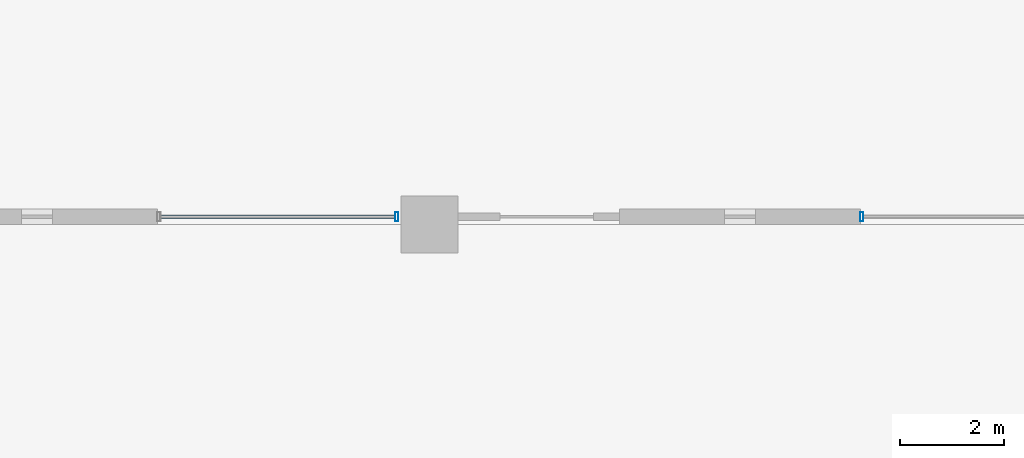
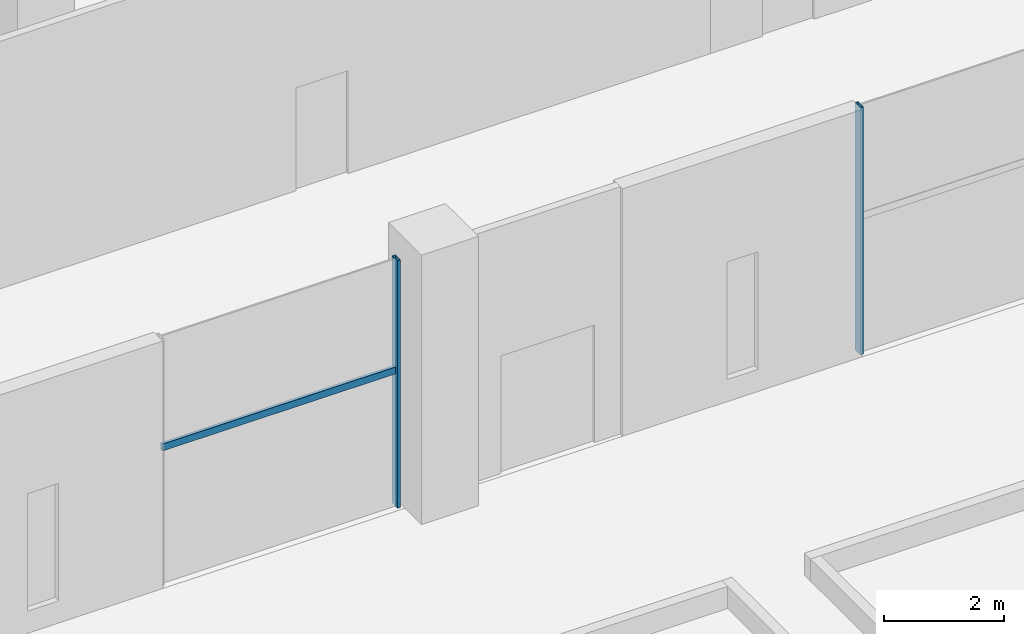
# One storey, part 4 of 47: 3 members, 2 elements without a shape of their own.
"""IFC4 building model written with IfcOpenShell, lengths in metres."""

import ifcopenshell
import ifcopenshell.guid

model = None  # the IFC model being written
_history = None  # IfcOwnerHistory: only IFC2X3 demands one
_inside = {}  # id of a spatial element -> (the spatial element, [elements in it])
_under = {}  # id of a project, library or spatial element -> (it, [spatial elements below it])
_declared = {}  # id of a project -> (the project, [libraries it declares])
_typed = {}  # id of a type object -> (the type object, [elements of that type])
_made_of = {}  # id of a material, layer set ... -> (it, [elements and type objects made of it])


def new_model(schema):
    """Start an empty IFC model of exactly this schema.

    Asked for "IFC4X3", IfcOpenShell would pick the latest addendum, in which some entities
    have other attributes; the version numbers below select the first issue.
    IFC2X3 requires an IfcOwnerHistory on every rooted entity: one is made here for all.
    """
    global model, _history
    if schema == "IFC4X3":
        model = ifcopenshell.file(schema_version=(4, 3, 0, 0))
    else:
        model = ifcopenshell.file(schema=schema)
    _inside.clear()
    _under.clear()
    _declared.clear()
    _typed.clear()
    _made_of.clear()
    _history = None
    if model.schema == "IFC2X3":
        org = make("IfcOrganization", Name="unknown")
        user = make(
            "IfcPersonAndOrganization",
            ThePerson=make("IfcPerson", FamilyName="unknown"),
            TheOrganization=org,
        )
        app = make(
            "IfcApplication",
            ApplicationDeveloper=org,
            Version="unknown",
            ApplicationFullName="unknown",
            ApplicationIdentifier="unknown",
        )
        _history = make(
            "IfcOwnerHistory",
            OwningUser=user,
            OwningApplication=app,
            ChangeAction="ADDED",
            CreationDate=0,
        )
    return model


def make(cls, **values):
    """One entity of the class cls with the attributes given. An attribute that is None is left unset."""
    return model.create_entity(
        cls, **{name: value for name, value in values.items() if value is not None}
    )


def rooted(cls, **values):
    """An entity with a GlobalId (a new one), such as an element, a storey or a relation."""
    return make(cls, GlobalId=ifcopenshell.guid.new(), OwnerHistory=_history, **values)


def si_unit(unit_type, name, prefix=None):
    """IfcSIUnit, for example si_unit("LENGTHUNIT", "METRE", prefix="MILLI")."""
    return make("IfcSIUnit", UnitType=unit_type, Prefix=prefix, Name=name)


def assignment(units):
    """IfcUnitAssignment: the units of a project."""
    return None if units is None else make("IfcUnitAssignment", Units=units)


def point(xyz):
    """IfcCartesianPoint."""
    return None if xyz is None else make("IfcCartesianPoint", Coordinates=xyz)


def direction(xyz):
    """IfcDirection."""
    return None if xyz is None else make("IfcDirection", DirectionRatios=xyz)


def frame(location, z_axis=None, x_axis=None):
    """IfcAxis2Placement3D, a coordinate frame: its origin and axes. An axis left out is left unset."""
    return make(
        "IfcAxis2Placement3D",
        Location=point(location),
        Axis=direction(z_axis),
        RefDirection=direction(x_axis),
    )


def frame_2d(location, x_axis=None):
    """IfcAxis2Placement2D, a coordinate frame in the plane: its origin and x axis."""
    return make(
        "IfcAxis2Placement2D", Location=point(location), RefDirection=direction(x_axis)
    )


def origin():
    """The frame at (0, 0, 0) with its axes left unset."""
    return frame((0.0, 0.0, 0.0))


def origin_2d():
    """The frame at (0, 0) in the plane with its x axis left unset."""
    return frame_2d((0.0, 0.0))


def place(relative_to, where):
    """IfcLocalPlacement: puts the frame where relative to a parent placement (None: the world)."""
    return make(
        "IfcLocalPlacement", PlacementRelTo=relative_to, RelativePlacement=where
    )


def context(
    kind, dimensions, precision=None, world=None, true_north=None, identifier=None
):
    """IfcGeometricRepresentationContext, for example the 3D "Model" context."""
    return make(
        "IfcGeometricRepresentationContext",
        ContextIdentifier=identifier,
        ContextType=kind,
        CoordinateSpaceDimension=dimensions,
        Precision=precision,
        WorldCoordinateSystem=world,
        TrueNorth=true_north,
    )


def subcontext(parent, identifier, kind, view, scale=None):
    """IfcGeometricRepresentationSubContext, for example "Body" below "Model"."""
    return make(
        "IfcGeometricRepresentationSubContext",
        ContextIdentifier=identifier,
        ContextType=kind,
        ParentContext=parent,
        TargetScale=scale,
        TargetView=view,
    )


def project(units=None, contexts=None):
    """IfcProject with its units and contexts."""
    return rooted(
        "IfcProject",
        Name="project",
        RepresentationContexts=contexts,
        UnitsInContext=assignment(units),
    )


def spatial(cls, under=None, at=None, **own):
    """A site, building, storey or space (cls), placed at a placement, below another one or the project."""
    s = rooted(cls, ObjectPlacement=at, **own)
    if under is not None:
        _under.setdefault(under.id(), (under, []))[1].append(s)
    return s


def profile(cls, at=None, kind="AREA", **sizes):
    """A parametric profile (cls). Its sizes go by their IFC names, for example OverallWidth=200.0."""
    return make(cls, ProfileType=kind, Position=at, **sizes)


def hollow_rectangle(**sizes):
    """IfcRectangleHollowProfileDef."""
    return profile("IfcRectangleHollowProfileDef", **sizes)


def extrude(swept, where, along, depth):
    """IfcExtrudedAreaSolid: the profile swept, set in the frame where, extruded along a direction by depth."""
    return make(
        "IfcExtrudedAreaSolid",
        SweptArea=swept,
        Position=where,
        ExtrudedDirection=direction(along),
        Depth=depth,
    )


def shape(context_of_items, identifier, shape_type, items):
    """IfcShapeRepresentation: the items that make up one representation, for example the "Body"."""
    return make(
        "IfcShapeRepresentation",
        ContextOfItems=context_of_items,
        RepresentationIdentifier=identifier,
        RepresentationType=shape_type,
        Items=items,
    )


def material(Name=None, Category=None):
    """IfcMaterial."""
    return make("IfcMaterial", Name=Name, Category=Category)


def material_profile(
    of_material, cross_section, Name=None, Category=None, Priority=None
):
    """IfcMaterialProfile: a cross section and its material."""
    return make(
        "IfcMaterialProfile",
        Name=Name,
        Material=of_material,
        Profile=cross_section,
        Priority=Priority,
        Category=Category,
    )


def profile_set(profiles, Name=None, composite=None):
    """IfcMaterialProfileSet."""
    return make(
        "IfcMaterialProfileSet",
        Name=Name,
        MaterialProfiles=profiles,
        CompositeProfile=composite,
    )


def made_of(thing, what):
    """Note that an element or type object is made of a material, layer set ...; save() writes the relation."""
    if what is not None:
        _made_of.setdefault(what.id(), (what, []))[1].append(thing)
    return thing


def type_object(cls, material=None, **own):
    """A type object (cls), such as IfcWallType, which elements share."""
    return made_of(rooted(cls, **own), material)


def element(
    cls,
    number,
    at=None,
    inside=None,
    cuts=None,
    type_object=None,
    material=None,
    context=None,
    identifier="Body",
    shape_type=None,
    held_by="IfcProductDefinitionShape",
    body=None,
    shapes=None,
    **own,
):
    """One element of the class cls, such as IfcWall. Its Tag is "e" and its number.

    at: its placement. inside: the storey or other place that contains it. cuts: it is an
    opening in that element (IfcRelVoidsElement). A single representation is given by context,
    identifier, shape_type and body (its items); several are given by shapes. held_by: the class
    of the entity that holds the representations. save() writes the other relations.
    """
    e = rooted(cls, Tag="e%d" % number, ObjectPlacement=at, **own)
    if body is not None:
        shapes = [shape(context, identifier, shape_type, body)]
    if shapes is not None:
        e.Representation = make(held_by, Representations=shapes)
    if inside is not None:
        _inside.setdefault(inside.id(), (inside, []))[1].append(e)
    if cuts is not None:
        rooted(
            "IfcRelVoidsElement", RelatingBuildingElement=cuts, RelatedOpeningElement=e
        )
    if type_object is not None:
        _typed.setdefault(type_object.id(), (type_object, []))[1].append(e)
    return made_of(e, material)


def aggregate(whole, parts):
    """IfcRelAggregates: a whole, such as a stair, and the parts it consists of."""
    return rooted("IfcRelAggregates", RelatingObject=whole, RelatedObjects=parts)


def save(model, path):
    """Write the relations noted so far, then the file.

    IfcRelAggregates (storeys below a building ...), IfcRelContainedInSpatialStructure (elements
    in a storey), IfcRelDefinesByType, IfcRelAssociatesMaterial and IfcRelDeclares: one each for
    every whole, place, type object, material and project.
    """
    for whole, parts in _under.values():
        aggregate(whole, parts)
    for where, things in _inside.values():
        rooted(
            "IfcRelContainedInSpatialStructure",
            RelatedElements=things,
            RelatingStructure=where,
        )
    for kind, things in _typed.values():
        rooted("IfcRelDefinesByType", RelatedObjects=things, RelatingType=kind)
    for what, things in _made_of.values():
        rooted("IfcRelAssociatesMaterial", RelatedObjects=things, RelatingMaterial=what)
    for by, libraries in _declared.values():
        rooted("IfcRelDeclares", RelatingContext=by, RelatedDefinitions=libraries)
    model.write(path)


model = new_model("IFC4")

# Units and contexts
model_context = context("Model", 3, precision=1e-05, world=origin(), true_north=direction((0.0, 1.0)))
body_context = subcontext(model_context, "Body", "Model", "MODEL_VIEW")
ifc_project = project(units=[si_unit("LENGTHUNIT", "METRE"), si_unit("AREAUNIT", "SQUARE_METRE"), si_unit("VOLUMEUNIT", "CUBIC_METRE"), si_unit("PLANEANGLEUNIT", "RADIAN"), si_unit("MASSUNIT", "GRAM", prefix="KILO")], contexts=[model_context])

# Site, building, storey
site_placement = place(None, origin())
site = spatial("IfcSite", under=ifc_project, at=site_placement, CompositionType="ELEMENT")
building_placement = place(site_placement, origin())
building = spatial("IfcBuilding", under=site, at=building_placement, Name="Altepetl Exchange Towers", CompositionType="ELEMENT")
storey_placement = place(building_placement, frame((0.0, 0.0, 6.0)))
storey = spatial("IfcBuildingStorey", under=building, at=storey_placement, Name="L01 Retail podium", CompositionType="ELEMENT", Elevation=6.0)

# Curtain wall, member
ifc_material_1 = material(Name="Aluminium 6063-T6 glazing", Category="aluminium")
curtain_wall_type = type_object("IfcCurtainWallType", Name="Podium storefront system", PredefinedType="NOTDEFINED", material=ifc_material_1)
curtain_wall_1_placement = place(storey_placement, origin())
curtain_wall_1 = element("IfcCurtainWall", 1, at=curtain_wall_1_placement, inside=storey, type_object=curtain_wall_type, Name="CW5 run", PredefinedType="NOTDEFINED")
ifc_material_2 = material(Name="Aluminium 6063-T6", Category="aluminium")
ifc_material_profile_1 = material_profile(ifc_material_2, hollow_rectangle(XDim=0.06005859375, YDim=0.175048828125, WallThickness=0.0029296875, at=origin_2d()), Name="Mullion 60x175 aluminium")
ifc_profile_set_1 = profile_set([ifc_material_profile_1], Name="Aluminium 6063-T6")
member_type_1 = type_object("IfcMemberType", Name="Mullion 60x175 aluminium", PredefinedType="MULLION", material=ifc_profile_set_1)
member_1_placement = place(storey_placement, frame((48.8701171875, 9.14990234375, 0.0)))
member_1 = element("IfcMember", 2, at=member_1_placement, type_object=member_type_1, Name="MU4 mullion", PredefinedType="MULLION", context=body_context, shape_type="SweptSolid", body=[
    extrude(hollow_rectangle(XDim=0.06005859375, YDim=0.175048828125, WallThickness=0.0029296875, at=origin_2d()), origin(), (0.0, 0.0, 1.0), 5.050048828125),
])

curtain_wall_2_placement = place(storey_placement, origin())
curtain_wall_2 = element("IfcCurtainWall", 3, at=curtain_wall_2_placement, inside=storey, type_object=curtain_wall_type, Name="CW5 run", PredefinedType="NOTDEFINED")
member_2_placement = place(storey_placement, frame((57.804931640625, 9.14990234375, 0.0)))
member_2 = element("IfcMember", 4, at=member_2_placement, type_object=member_type_1, Name="MU4 mullion", PredefinedType="MULLION", context=body_context, shape_type="SweptSolid", body=[
    extrude(hollow_rectangle(XDim=0.06005859375, YDim=0.175048828125, WallThickness=0.0029296875, at=origin_2d()), origin(), (0.0, 0.0, 1.0), 5.050048828125),
])
aggregate(curtain_wall_2, [member_2])

# Member
ifc_material_profile_2 = material_profile(ifc_material_2, hollow_rectangle(XDim=0.06005859375, YDim=0.139892578125, WallThickness=0.0029296875, at=origin_2d()), Name="Transom 60x140 aluminium")
ifc_profile_set_2 = profile_set([ifc_material_profile_2], Name="Aluminium 6063-T6")
member_type_2 = type_object("IfcMemberType", Name="Transom 60x140 aluminium", PredefinedType="USERDEFINED", material=ifc_profile_set_2)
member_3_placement = place(storey_placement, frame((44.3349609375, 9.14990234375, 2.780029296875), z_axis=(1.0, 0.0, 0.0), x_axis=(0.0, 1.0, 0.0)))
member_3 = element("IfcMember", 5, at=member_3_placement, type_object=member_type_2, Name="TR3 transom", ObjectType="TRANSOM", PredefinedType="USERDEFINED", context=body_context, shape_type="SweptSolid", body=[
    extrude(hollow_rectangle(XDim=0.06005859375, YDim=0.139892578125, WallThickness=0.0029296875, at=origin_2d()), origin(), (0.0, 0.0, 1.0), 4.505126953125),
])

aggregate(curtain_wall_1, [member_1, member_3])

save(model, "model.ifc")
